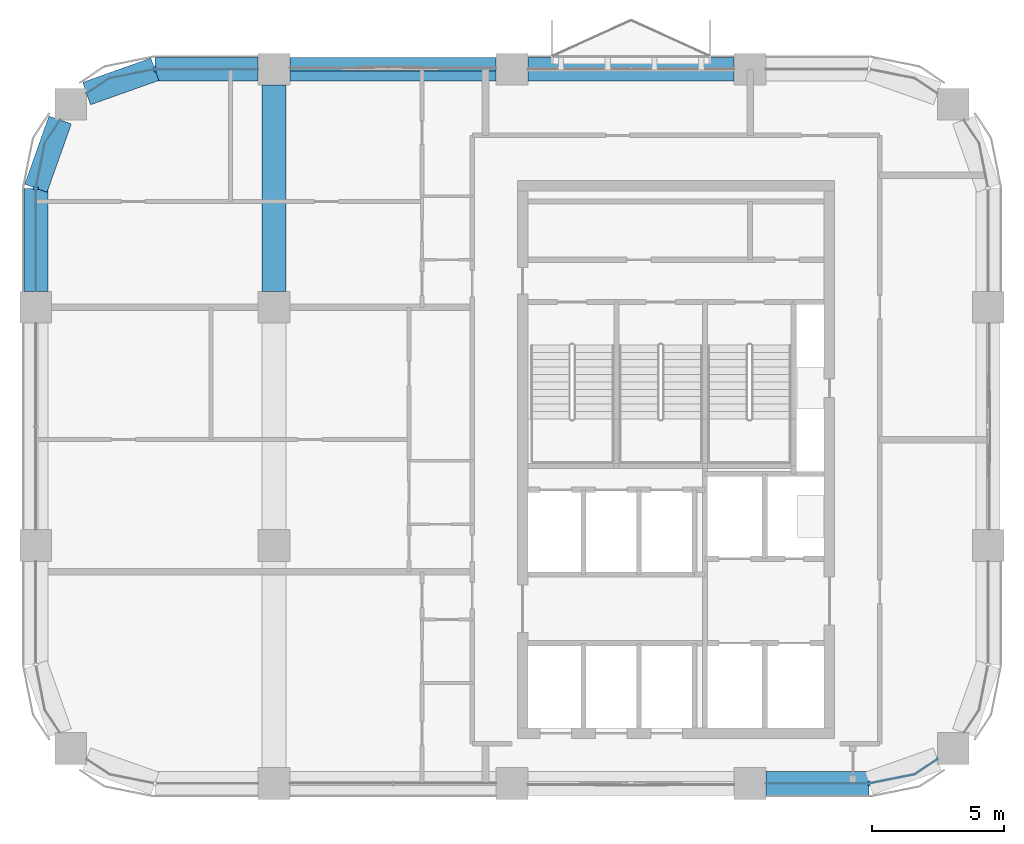
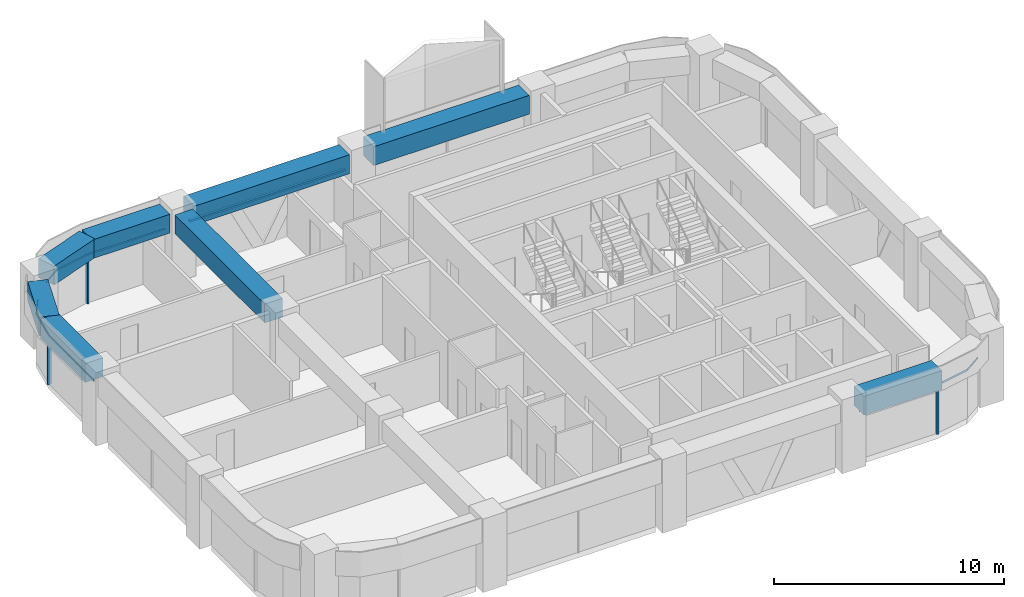
# One storey, part 3 of 10: 8 beams, 7 members, 4 elements without a shape of their own.
"""IFC4 building model written with IfcOpenShell, lengths in metres."""

from ifc_helpers import new_model, si_unit, direction, frame, origin, origin_2d, place, context, subcontext, project, spatial, polyline, rectangle, outline, extrude, material, material_profile, profile_set, type_object, element, aggregate, save


model = new_model("IFC4")

# Units and contexts
model_context = context("Model", 3, precision=1e-05, world=origin(), true_north=direction((0.0, 1.0)))
body_context = subcontext(model_context, "Body", "Model", "MODEL_VIEW")
ifc_project = project(units=[si_unit("LENGTHUNIT", "METRE"), si_unit("AREAUNIT", "SQUARE_METRE"), si_unit("VOLUMEUNIT", "CUBIC_METRE"), si_unit("PLANEANGLEUNIT", "RADIAN"), si_unit("MASSUNIT", "GRAM", prefix="KILO")], contexts=[model_context])

# Site, building, storey
site_placement = place(None, origin())
site = spatial("IfcSite", under=ifc_project, at=site_placement, CompositionType="ELEMENT")
building_placement = place(site_placement, origin())
building = spatial("IfcBuilding", under=site, at=building_placement, Name="Tessera Arch", CompositionType="ELEMENT")
storey_placement = place(building_placement, frame((0.0, 0.0, 242.300048828125)))
storey = spatial("IfcBuildingStorey", under=building, at=storey_placement, Name="L58", CompositionType="ELEMENT", Elevation=242.300048828125)

# Curtain wall, member
ifc_material_1 = material(Name="CW2 curtain wall")
curtain_wall_type_1 = type_object("IfcCurtainWallType", Name="CW2 curtain wall", PredefinedType="NOTDEFINED", material=ifc_material_1)
curtain_wall_1_placement = place(storey_placement, origin())
curtain_wall_1 = element("IfcCurtainWall", 1, at=curtain_wall_1_placement, inside=storey, type_object=curtain_wall_type_1, Name="CW2 curtain wall N54.18/3 L58", PredefinedType="NOTDEFINED")
ifc_material_2 = material(Name="Anodised aluminium pale metal", Category="aluminium")
ifc_material_profile_1 = material_profile(ifc_material_2, rectangle(XDim=0.199951171875, YDim=0.080078125, at=origin_2d()), Name="AL 80x200")
ifc_profile_set_1 = profile_set([ifc_material_profile_1], Name="Anodised aluminium pale metal")
member_type_1 = type_object("IfcMemberType", Name="CW2 mullion", PredefinedType="MULLION", material=ifc_profile_set_1)
member_1_placement = place(storey_placement, frame((22.5, 54.0, 0.0), z_axis=(0.0, 0.0, 1.0), x_axis=(0.0, -1.0, 0.0)))
member_1 = element("IfcMember", 2, at=member_1_placement, type_object=member_type_1, Name="CW2 mullion N54.18/3 1", PredefinedType="MULLION", context=body_context, shape_type="SweptSolid", body=[
    extrude(rectangle(XDim=0.199951171875, YDim=0.080078125, at=origin_2d()), origin(), (0.0, 0.0, 1.0), 2.5),
])

curtain_wall_2_placement = place(storey_placement, origin())
curtain_wall_2 = element("IfcCurtainWall", 3, at=curtain_wall_2_placement, inside=storey, type_object=curtain_wall_type_1, Name="CW2 curtain wall W18.27/0 L58", PredefinedType="NOTDEFINED")
member_2_placement = place(storey_placement, frame((18.0, 49.5, 0.0), z_axis=(0.0, 0.0, 1.0), x_axis=(1.0, 0.0, 0.0)))
member_2 = element("IfcMember", 4, at=member_2_placement, type_object=member_type_1, Name="CW2 mullion W18.27/0 1", PredefinedType="MULLION", context=body_context, shape_type="SweptSolid", body=[
    extrude(rectangle(XDim=0.199951171875, YDim=0.080078125, at=origin_2d()), origin(), (0.0, 0.0, 1.0), 2.5),
])

curtain_wall_3_placement = place(storey_placement, origin())
curtain_wall_3 = element("IfcCurtainWall", 5, at=curtain_wall_3_placement, inside=storey, type_object=curtain_wall_type_1, Name="CW2 curtain wall S27.18/3 L58", PredefinedType="NOTDEFINED")
member_3_placement = place(storey_placement, frame((49.5, 27.0, 0.0), z_axis=(0.0, 0.0, 1.0), x_axis=(0.0, 1.0, 0.0)))
member_3 = element("IfcMember", 6, at=member_3_placement, type_object=member_type_1, Name="CW2 mullion S27.18/3 1", PredefinedType="MULLION", context=body_context, shape_type="SweptSolid", body=[
    extrude(rectangle(XDim=0.199951171875, YDim=0.080078125, at=origin_2d()), origin(), (0.0, 0.0, 1.0), 2.5),
])

# Member
ifc_material_3 = material(Name="Anodised aluminium pale metal", Category="aluminium")
ifc_material_profile_2 = material_profile(ifc_material_3, rectangle(XDim=0.199951171875, YDim=0.10009765625, at=origin_2d()), Name="AL 200x100")
ifc_profile_set_2 = profile_set([ifc_material_profile_2], Name="Anodised aluminium pale metal")
member_type_2 = type_object("IfcMemberType", Name="CW2 transom", PredefinedType="USERDEFINED", material=ifc_profile_set_2)
member_4_placement = place(storey_placement, frame((0.0, 0.0, 2.5)))
member_4 = element("IfcMember", 7, at=member_4_placement, type_object=member_type_2, Name="CW2 transom N54.18/3 1", ObjectType="TRANSOM", PredefinedType="USERDEFINED", context=body_context, shape_type="SweptSolid", body=[
    extrude(outline(polyline([(22.5009765625, 53.989990234375), (26.39990234375, 53.989990234375), (26.39990234375, 54.010009765625), (22.4990234375, 54.010009765625), (20.77392578125, 53.6669921875), (19.912353515625, 53.09130859375), (19.923583984375, 53.07470703125), (20.78173828125, 53.648193359375), (22.5009765625, 53.989990234375)])), origin(), (0.0, 0.0, 1.0), 0.099853515625),
])

aggregate(curtain_wall_1, [member_1, member_4])

member_5_placement = place(storey_placement, frame((0.0, 0.0, 2.5)))
member_5 = element("IfcMember", 8, at=member_5_placement, type_object=member_type_2, Name="CW2 transom W18.27/0 1", ObjectType="TRANSOM", PredefinedType="USERDEFINED", context=body_context, shape_type="SweptSolid", body=[
    extrude(outline(polyline([(18.351806640625, 51.21826171875), (18.92529296875, 52.076416015625), (18.90869140625, 52.087646484375), (18.3330078125, 51.22607421875), (17.989990234375, 49.5009765625), (17.989990234375, 45.60009765625), (18.010009765625, 45.60009765625), (18.010009765625, 49.4990234375), (18.351806640625, 51.21826171875)])), origin(), (0.0, 0.0, 1.0), 0.099853515625),
])

aggregate(curtain_wall_2, [member_2, member_5])

member_6_placement = place(storey_placement, frame((0.0, 0.0, 2.5)))
member_6 = element("IfcMember", 9, at=member_6_placement, type_object=member_type_2, Name="CW2 transom S27.18/3 1", ObjectType="TRANSOM", PredefinedType="USERDEFINED", context=body_context, shape_type="SweptSolid", body=[
    extrude(outline(polyline([(49.4990234375, 27.010009765625), (45.60009765625, 27.010009765625), (45.60009765625, 26.989990234375), (49.5009765625, 26.989990234375), (51.22607421875, 27.3330078125), (52.087646484375, 27.90869140625), (52.076416015625, 27.92529296875), (51.21826171875, 27.351806640625), (49.4990234375, 27.010009765625)])), origin(), (0.0, 0.0, 1.0), 0.099853515625),
])

aggregate(curtain_wall_3, [member_3, member_6])

# Curtain wall, member
ifc_material_4 = material(Name="CW3 curtain wall")
curtain_wall_type_2 = type_object("IfcCurtainWallType", Name="CW3 curtain wall", PredefinedType="NOTDEFINED", material=ifc_material_4)
curtain_wall_4_placement = place(storey_placement, origin())
curtain_wall_4 = element("IfcCurtainWall", 10, at=curtain_wall_4_placement, inside=storey, type_object=curtain_wall_type_2, Name="CW3 curtain wall N54.18/2 L58", PredefinedType="NOTDEFINED")
ifc_material_5 = material(Name="Anodised aluminium pale metal", Category="aluminium")
ifc_material_profile_3 = material_profile(ifc_material_5, rectangle(XDim=0.139892578125, YDim=0.10009765625, at=origin_2d()), Name="AL 140x100")
ifc_profile_set_3 = profile_set([ifc_material_profile_3], Name="Anodised aluminium pale metal")
member_type_3 = type_object("IfcMemberType", Name="CW3 transom", PredefinedType="USERDEFINED", material=ifc_profile_set_3)
member_7_placement = place(storey_placement, frame((35.39990234375, 54.0, 2.550048828125), z_axis=(-1.0, 0.0, 0.0), x_axis=(0.0, -1.0, 0.0)))
member_7 = element("IfcMember", 11, at=member_7_placement, type_object=member_type_3, Name="CW3 transom N54.18/2 1.1", ObjectType="TRANSOM", PredefinedType="USERDEFINED", context=body_context, shape_type="SweptSolid", body=[
    extrude(rectangle(XDim=0.139892578125, YDim=0.10009765625, at=origin_2d()), origin(), (0.0, 0.0, 1.0), 7.7998046875),
])
aggregate(curtain_wall_4, [member_7])

# Beams
ifc_material_6 = material(Name="Concrete C60/75", Category="concrete")
ifc_material_profile_4 = material_profile(ifc_material_6, rectangle(XDim=0.89990234375, YDim=1.0, at=origin_2d()), Name="RC spandrel beam 900 x 1000 Concrete C60/75")
ifc_profile_set_4 = profile_set([ifc_material_profile_4], Name="Concrete C60/75")
beam_type = type_object("IfcBeamType", Name="RC spandrel beam 900 x 1000 Concrete C60/75", PredefinedType="BEAM", material=ifc_profile_set_4)
for number, where, z_axis, x_axis, name in (
    (12, (44.39990234375, 54.0, 3.099853515625), (-1.0, 0.0, 0.0), (0.0, -1.0, 0.0), "Spandrel beam L58 N54.18/1"),
    (13, (35.39990234375, 54.0, 3.099853515625), (-1.0, 0.0, 0.0), (0.0, -1.0, 0.0), "Spandrel beam L58 N54.18/2"),
):
    element("IfcBeam", number, at=place(storey_placement, frame(where, z_axis=z_axis, x_axis=x_axis)), inside=storey, type_object=beam_type, Name=name, PredefinedType="BEAM", context=body_context, shape_type="SweptSolid", body=[
        extrude(rectangle(XDim=0.89990234375, YDim=1.0, at=origin_2d()), origin(), (0.0, 0.0, 1.0), 7.7998046875),
    ])
beam_1_placement = place(storey_placement, frame((26.39990234375, 54.0, 3.099853515625), z_axis=(-1.0, 0.0, 0.0), x_axis=(0.0, -1.0, 0.0)))
element("IfcBeam", 14, at=beam_1_placement, inside=storey, type_object=beam_type, Name="Spandrel beam L58 N54.18/3.1", PredefinedType="BEAM", context=body_context, shape_type="SweptSolid", body=[
    extrude(rectangle(XDim=0.89990234375, YDim=1.0, at=origin_2d()), origin(), (0.0, 0.0, 1.0), 3.89990234375),
])
for number, where, z_axis, x_axis, name in (
    (15, (22.5, 54.0, 3.099853515625), (-0.942337127159, -0.334665114373, 0.0), (0.334665114373, -0.942337127159, 0.0), "Spandrel beam L58 N54.18/3.2"),
    (16, (18.9169921875, 52.08203125, 3.099853515625), (-0.334665114373, -0.942337127159, 0.0), (0.942337127159, -0.334665114373, 0.0), "Spandrel beam L58 W18.27/0.1"),
):
    element("IfcBeam", number, at=place(storey_placement, frame(where, z_axis=z_axis, x_axis=x_axis)), inside=storey, type_object=beam_type, Name=name, PredefinedType="BEAM", context=body_context, shape_type="SweptSolid", body=[
        extrude(rectangle(XDim=0.89990234375, YDim=1.0, at=origin_2d()), origin(), (0.0, 0.0, 1.0), 2.739990234375),
    ])
for number, where, z_axis, x_axis, name in (
    (17, (18.0, 49.5, 3.099853515625), (0.0, -1.0, 0.0), (1.0, 0.0, 0.0), "Spandrel beam L58 W18.27/0.2"),
    (18, (45.60009765625, 27.0, 3.099853515625), (1.0, 0.0, 0.0), (0.0, 1.0, 0.0), "Spandrel beam L58 S27.18/3.1"),
):
    element("IfcBeam", number, at=place(storey_placement, frame(where, z_axis=z_axis, x_axis=x_axis)), inside=storey, type_object=beam_type, Name=name, PredefinedType="BEAM", context=body_context, shape_type="SweptSolid", body=[
        extrude(rectangle(XDim=0.89990234375, YDim=1.0, at=origin_2d()), origin(), (0.0, 0.0, 1.0), 3.89990234375),
    ])
beam_2_placement = place(storey_placement, frame((27.0, 45.60009765625, 3.099853515625), z_axis=(0.0, 1.0, 0.0), x_axis=(-1.0, 0.0, 0.0)))
element("IfcBeam", 19, at=beam_2_placement, inside=storey, type_object=beam_type, Name="Interface beam L58 I0C4F-C4G", PredefinedType="BEAM", context=body_context, shape_type="SweptSolid", body=[
    extrude(rectangle(XDim=0.89990234375, YDim=1.0, at=origin_2d()), origin(), (0.0, 0.0, 1.0), 7.7998046875),
])

save(model, "model.ifc")
